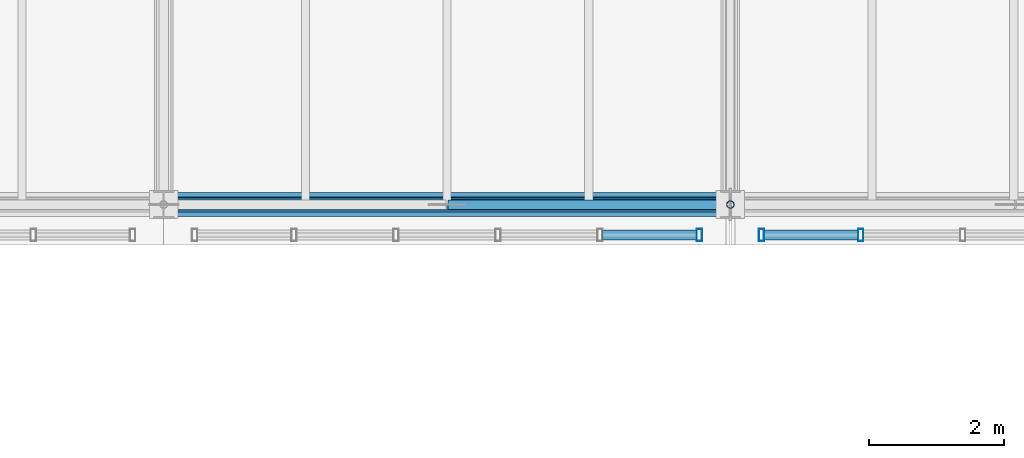
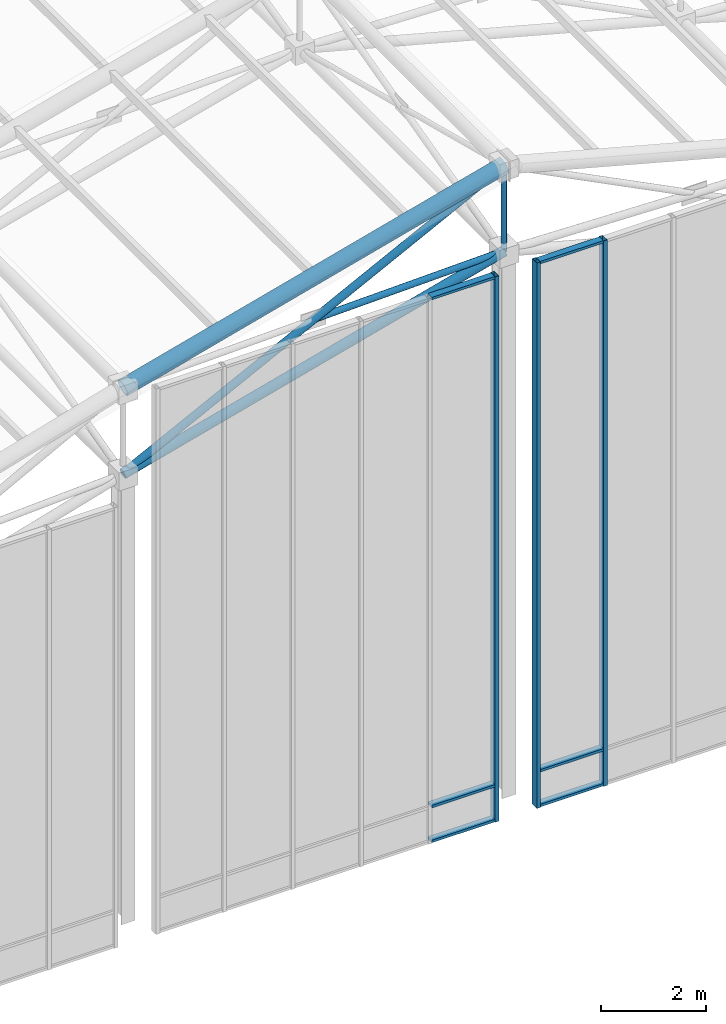
# One storey, part 20 of 144: 14 members, 2 elements without a shape of their own.
"""IFC4 building model written with IfcOpenShell, lengths in metres."""

from ifc_helpers import new_model, si_unit, direction, frame, origin, origin_2d, place, context, subcontext, project, spatial, hollow_rectangle, hollow_circle, extrude, material, layer, layer_set, material_profile, profile_set, type_object, element, aggregate, save


model = new_model("IFC4")

# Units and contexts
model_context = context("Model", 3, precision=1e-05, world=origin(), true_north=direction((0.0, 1.0)))
body_context = subcontext(model_context, "Body", "Model", "MODEL_VIEW")
ifc_project = project(units=[si_unit("LENGTHUNIT", "METRE"), si_unit("AREAUNIT", "SQUARE_METRE"), si_unit("VOLUMEUNIT", "CUBIC_METRE"), si_unit("PLANEANGLEUNIT", "RADIAN"), si_unit("MASSUNIT", "GRAM", prefix="KILO")], contexts=[model_context])

# Site, building, storey
site_placement = place(None, origin())
site = spatial("IfcSite", under=ifc_project, at=site_placement, CompositionType="ELEMENT")
building_placement = place(site_placement, origin())
building = spatial("IfcBuilding", under=site, at=building_placement, Name="Zayran Congress Hotel", CompositionType="ELEMENT")
storey_placement = place(building_placement, frame((0.0, 0.0, 19.199951171875)))
storey = spatial("IfcBuildingStorey", under=building, at=storey_placement, Name="L04", CompositionType="ELEMENT", Elevation=19.199951171875)

# Members
ifc_material_1 = material(Name="Steel S355", Category="steel")
ifc_material_profile_1 = material_profile(ifc_material_1, hollow_circle(Radius=0.177734375, WallThickness=0.01611328125, at=origin_2d()), Name="CHS 355.6x16")
ifc_profile_set_1 = profile_set([ifc_material_profile_1], Name="Steel S355")
member_type_1 = type_object("IfcMemberType", Name="TP-SF-TC1", PredefinedType="CHORD", material=ifc_profile_set_1)
member_1_placement = place(storey_placement, frame((42.0, 68.199951171875, 12.35205078125), z_axis=(0.965947299715, 0.0, 0.258738891884), x_axis=(0.0, 1.0, 0.0)))
element("IfcMember", 1, at=member_1_placement, inside=storey, type_object=member_type_1, Name="Space Frame Top Chord X 219", PredefinedType="CHORD", context=body_context, shape_type="SweptSolid", body=[
    extrude(hollow_circle(Radius=0.177734375, WallThickness=0.01611328125, at=origin_2d()), origin(), (0.0, 0.0, 1.0), 8.696044921875),
])
ifc_material_profile_2 = material_profile(ifc_material_1, hollow_circle(Radius=0.109619140625, WallThickness=0.010009765625, at=origin_2d()), Name="CHS 219.1x10")
ifc_profile_set_2 = profile_set([ifc_material_profile_2], Name="Steel S355")
member_type_2 = type_object("IfcMemberType", Name="TP-SF-BC1", PredefinedType="CHORD", material=ifc_profile_set_2)
member_2_placement = place(storey_placement, frame((42.0, 68.199951171875, 10.35009765625), z_axis=(0.965947299715, 0.0, 0.258738891884), x_axis=(0.0, 1.0, 0.0)))
element("IfcMember", 2, at=member_2_placement, inside=storey, type_object=member_type_2, Name="Space Frame Bottom Chord X 220", PredefinedType="CHORD", context=body_context, shape_type="SweptSolid", body=[
    extrude(hollow_circle(Radius=0.109619140625, WallThickness=0.010009765625, at=origin_2d()), origin(), (0.0, 0.0, 1.0), 8.696044921875),
])
ifc_material_profile_3 = material_profile(ifc_material_1, hollow_circle(Radius=0.084228515625, WallThickness=0.008056640625, at=origin_2d()), Name="CHS 168.3x8")
ifc_profile_set_3 = profile_set([ifc_material_profile_3], Name="Steel S355")
member_type_3 = type_object("IfcMemberType", Name="TP-SF-DG1", PredefinedType="BRACE", material=ifc_profile_set_3)
member_3_placement = place(storey_placement, frame((42.0, 68.199951171875, 10.35009765625), z_axis=(0.892206892975, 0.0, 0.451626903681), x_axis=(0.0, 1.0, 0.0)))
element("IfcMember", 3, at=member_3_placement, inside=storey, type_object=member_type_3, Name="Space Frame Web Diagonal X 221", PredefinedType="BRACE", context=body_context, shape_type="SweptSolid", body=[
    extrude(hollow_circle(Radius=0.084228515625, WallThickness=0.008056640625, at=origin_2d()), origin(), (0.0, 0.0, 1.0), 9.414794921875),
])
ifc_material_profile_4 = material_profile(ifc_material_1, hollow_circle(Radius=0.06982421875, WallThickness=0.00634765625, at=origin_2d()), Name="CHS 139.7x6.3")
ifc_profile_set_4 = profile_set([ifc_material_profile_4], Name="Steel S355")
member_type_4 = type_object("IfcMemberType", Name="TP-SF-DG2", PredefinedType="BRACE", material=ifc_profile_set_4)
member_4_placement = place(storey_placement, frame((46.215087890625, 68.199951171875, 12.4765625), z_axis=(0.999564573355, 0.0, 0.029507010916), x_axis=(0.0, 1.0, 0.0)))
element("IfcMember", 4, at=member_4_placement, inside=storey, type_object=member_type_4, Name="Space Frame Counter Diagonal X Lower 35", PredefinedType="BRACE", context=body_context, shape_type="SweptSolid", body=[
    extrude(hollow_circle(Radius=0.06982421875, WallThickness=0.00634765625, at=origin_2d()), origin(), (0.0, 0.0, 1.0), 4.1865234375),
])
ifc_material_profile_5 = material_profile(ifc_material_1, hollow_circle(Radius=0.05712890625, WallThickness=0.00634765625, at=origin_2d()), Name="CHS 114.3x6.3")
ifc_profile_set_5 = profile_set([ifc_material_profile_5], Name="Steel S355")
member_type_5 = type_object("IfcMemberType", Name="TP-SF-DG3", PredefinedType="BRACE", material=ifc_profile_set_5)
member_5_placement = place(storey_placement, frame((50.39990234375, 68.199951171875, 12.60009765625), z_axis=(0.0, 0.0, 1.0), x_axis=(0.0, 1.0, 0.0)))
element("IfcMember", 5, at=member_5_placement, inside=storey, type_object=member_type_5, Name="Space Frame Web Strut 280", PredefinedType="BRACE", context=body_context, shape_type="SweptSolid", body=[
    extrude(hollow_circle(Radius=0.05712890625, WallThickness=0.00634765625, at=origin_2d()), origin(), (0.0, 0.0, 1.0), 2.001953125),
])

# Curtain wall, member
ifc_material_2 = material(Name="Anodised aluminium and low-E insulated glass", Category="aluminium")
ifc_layer_1 = layer(ifc_material_2, 0.179931640625)
ifc_layer_set_1 = layer_set([ifc_layer_1], Name="Anodised aluminium and low-E insulated glass")
curtain_wall_type_1 = type_object("IfcCurtainWallType", Name="CW-V1CL-L04-CW-12-7560-12720", PredefinedType="USERDEFINED", material=ifc_layer_set_1)
curtain_wall_1_placement = place(storey_placement, origin())
curtain_wall_1 = element("IfcCurtainWall", 6, at=curtain_wall_1_placement, inside=storey, type_object=curtain_wall_type_1, Name="CW-V1CLS-4", ObjectType="CURTAIN WALL", PredefinedType="USERDEFINED")
ifc_material_3 = material(Name="Anodised aluminium framing", Category="aluminium")
ifc_material_profile_6 = material_profile(ifc_material_3, hollow_rectangle(XDim=0.080078125, YDim=0.179931640625, WallThickness=0.0048828125, at=origin_2d()), Name="RHS 180x80x5")
ifc_profile_set_6 = profile_set([ifc_material_profile_6], Name="Anodised aluminium framing")
member_type_6 = type_object("IfcMemberType", Name="TP-CWM-01", PredefinedType="MULLION", material=ifc_profile_set_6)
member_6_placement = place(storey_placement, frame((49.93994140625, 67.75, -0.219970703125), z_axis=(0.0, 0.0, 1.0), x_axis=(1.0, 0.0, 0.0)))
member_6 = element("IfcMember", 7, at=member_6_placement, type_object=member_type_6, Name="CW-V1CLS-4-M05", PredefinedType="MULLION", context=body_context, shape_type="SweptSolid", body=[
    extrude(hollow_rectangle(XDim=0.080078125, YDim=0.179931640625, WallThickness=0.0048828125, at=origin_2d()), origin(), (0.0, 0.0, 1.0), 12.719970703125),
])

# Curtain wall, members
ifc_layer_2 = layer(ifc_material_2, 0.179931640625)
ifc_layer_set_2 = layer_set([ifc_layer_2], Name="Anodised aluminium and low-E insulated glass")
curtain_wall_type_2 = type_object("IfcCurtainWallType", Name="CW-V1CL-L04-CW-13-7560-12720", PredefinedType="USERDEFINED", material=ifc_layer_set_2)
curtain_wall_2_placement = place(storey_placement, origin())
curtain_wall_2 = element("IfcCurtainWall", 8, at=curtain_wall_2_placement, inside=storey, type_object=curtain_wall_type_2, Name="CW-V1CLS-5", ObjectType="CURTAIN WALL", PredefinedType="USERDEFINED")
member_7_placement = place(storey_placement, frame((50.860107421875, 67.75, -0.219970703125), z_axis=(0.0, 0.0, 1.0), x_axis=(1.0, 0.0, 0.0)))
member_7 = element("IfcMember", 9, at=member_7_placement, type_object=member_type_6, Name="CW-V1CLS-5-M00", PredefinedType="MULLION", context=body_context, shape_type="SweptSolid", body=[
    extrude(hollow_rectangle(XDim=0.080078125, YDim=0.179931640625, WallThickness=0.0048828125, at=origin_2d()), origin(), (0.0, 0.0, 1.0), 12.719970703125),
])
member_8_placement = place(storey_placement, frame((52.33203125, 67.75, -0.219970703125), z_axis=(0.0, 0.0, 1.0), x_axis=(1.0, 0.0, 0.0)))
member_8 = element("IfcMember", 10, at=member_8_placement, type_object=member_type_6, Name="CW-V1CLS-5-M01", PredefinedType="MULLION", context=body_context, shape_type="SweptSolid", body=[
    extrude(hollow_rectangle(XDim=0.080078125, YDim=0.179931640625, WallThickness=0.0048828125, at=origin_2d()), origin(), (0.0, 0.0, 1.0), 12.719970703125),
])

# Member
ifc_material_profile_7 = material_profile(ifc_material_3, hollow_rectangle(XDim=0.06005859375, YDim=0.14990234375, WallThickness=0.00390625, at=origin_2d()), Name="RHS 150x60x4")
ifc_profile_set_7 = profile_set([ifc_material_profile_7], Name="Anodised aluminium framing")
member_type_7 = type_object("IfcMemberType", Name="TP-CWT-01", PredefinedType="USERDEFINED", material=ifc_profile_set_7)
member_9_placement = place(storey_placement, frame((48.508056640625, 67.75, -0.18994140625), z_axis=(1.0, 0.0, 0.0), x_axis=(0.0, 0.0, 1.0)))
member_9 = element("IfcMember", 11, at=member_9_placement, type_object=member_type_7, Name="CW-V1CLS-4-T04-0", ObjectType="TRANSOM", PredefinedType="USERDEFINED", context=body_context, shape_type="SweptSolid", body=[
    extrude(hollow_rectangle(XDim=0.06005859375, YDim=0.14990234375, WallThickness=0.00390625, at=origin_2d()), origin(), (0.0, 0.0, 1.0), 1.391845703125),
])

member_10_placement = place(storey_placement, frame((48.508056640625, 67.75, 0.6201171875), z_axis=(1.0, 0.0, 0.0), x_axis=(0.0, 0.0, 1.0)))
member_10 = element("IfcMember", 12, at=member_10_placement, type_object=member_type_7, Name="CW-V1CLS-4-T04-1", ObjectType="TRANSOM", PredefinedType="USERDEFINED", context=body_context, shape_type="SweptSolid", body=[
    extrude(hollow_rectangle(XDim=0.06005859375, YDim=0.14990234375, WallThickness=0.00390625, at=origin_2d()), origin(), (0.0, 0.0, 1.0), 1.391845703125),
])

member_11_placement = place(storey_placement, frame((48.508056640625, 67.75, 12.469970703125), z_axis=(1.0, 0.0, 0.0), x_axis=(0.0, 0.0, 1.0)))
member_11 = element("IfcMember", 13, at=member_11_placement, type_object=member_type_7, Name="CW-V1CLS-4-T04-2", ObjectType="TRANSOM", PredefinedType="USERDEFINED", context=body_context, shape_type="SweptSolid", body=[
    extrude(hollow_rectangle(XDim=0.06005859375, YDim=0.14990234375, WallThickness=0.00390625, at=origin_2d()), origin(), (0.0, 0.0, 1.0), 1.391845703125),
])

aggregate(curtain_wall_1, [member_6, member_9, member_10, member_11])

member_12_placement = place(storey_placement, frame((50.89990234375, 67.75, -0.18994140625), z_axis=(1.0, 0.0, 0.0), x_axis=(0.0, 0.0, 1.0)))
member_12 = element("IfcMember", 14, at=member_12_placement, type_object=member_type_7, Name="CW-V1CLS-5-T00-0", ObjectType="TRANSOM", PredefinedType="USERDEFINED", context=body_context, shape_type="SweptSolid", body=[
    extrude(hollow_rectangle(XDim=0.06005859375, YDim=0.14990234375, WallThickness=0.00390625, at=origin_2d()), origin(), (0.0, 0.0, 1.0), 1.39208984375),
])

member_13_placement = place(storey_placement, frame((50.89990234375, 67.75, 0.6201171875), z_axis=(1.0, 0.0, 0.0), x_axis=(0.0, 0.0, 1.0)))
member_13 = element("IfcMember", 15, at=member_13_placement, type_object=member_type_7, Name="CW-V1CLS-5-T00-1", ObjectType="TRANSOM", PredefinedType="USERDEFINED", context=body_context, shape_type="SweptSolid", body=[
    extrude(hollow_rectangle(XDim=0.06005859375, YDim=0.14990234375, WallThickness=0.00390625, at=origin_2d()), origin(), (0.0, 0.0, 1.0), 1.39208984375),
])

member_14_placement = place(storey_placement, frame((50.89990234375, 67.75, 12.469970703125), z_axis=(1.0, 0.0, 0.0), x_axis=(0.0, 0.0, 1.0)))
member_14 = element("IfcMember", 16, at=member_14_placement, type_object=member_type_7, Name="CW-V1CLS-5-T00-2", ObjectType="TRANSOM", PredefinedType="USERDEFINED", context=body_context, shape_type="SweptSolid", body=[
    extrude(hollow_rectangle(XDim=0.06005859375, YDim=0.14990234375, WallThickness=0.00390625, at=origin_2d()), origin(), (0.0, 0.0, 1.0), 1.39208984375),
])

aggregate(curtain_wall_2, [member_7, member_8, member_12, member_13, member_14])

save(model, "model.ifc")
